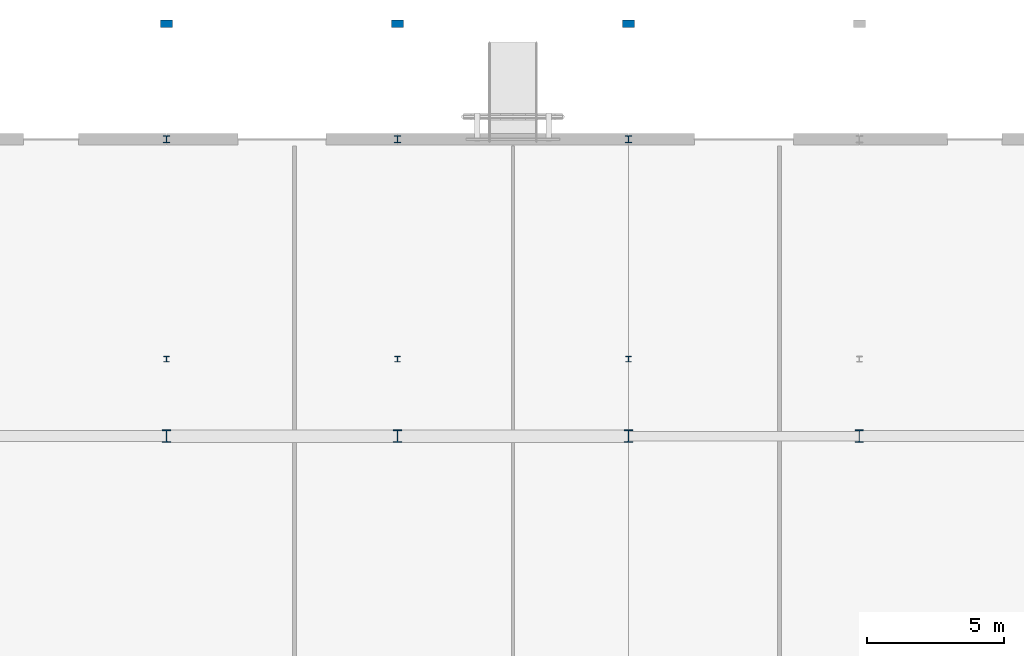
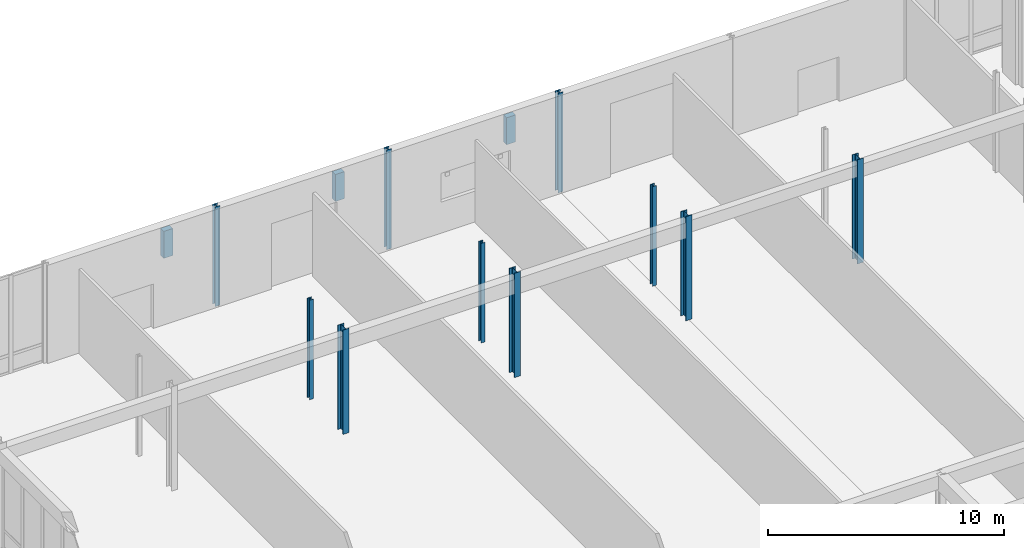
# One storey, part 13 of 169: 13 columns.
"""IFC4 building model written with IfcOpenShell, lengths in metres."""

from ifc_helpers import new_model, si_unit, direction, frame, origin, origin_2d, place, context, subcontext, project, spatial, rectangle, i_section, extrude, material, material_profile, profile_set, type_object, element, save


model = new_model("IFC4")

# Units and contexts
model_context = context("Model", 3, precision=1e-05, world=origin(), true_north=direction((0.0, 1.0)))
body_context = subcontext(model_context, "Body", "Model", "MODEL_VIEW")
ifc_project = project(units=[si_unit("LENGTHUNIT", "METRE"), si_unit("AREAUNIT", "SQUARE_METRE"), si_unit("VOLUMEUNIT", "CUBIC_METRE"), si_unit("PLANEANGLEUNIT", "RADIAN"), si_unit("MASSUNIT", "GRAM", prefix="KILO")], contexts=[model_context])

# Site, building, storey
site_placement = place(None, origin())
site = spatial("IfcSite", under=ifc_project, at=site_placement, CompositionType="ELEMENT")
building_placement = place(site_placement, origin())
building = spatial("IfcBuilding", under=site, at=building_placement, Name="Mazaris Harbour Polytechnic", CompositionType="ELEMENT")
storey_placement = place(building_placement, origin())
storey = spatial("IfcBuildingStorey", under=building, at=storey_placement, Name="L00", CompositionType="ELEMENT", Elevation=0.0)

# Columns
ifc_material_1 = material(Name="Concrete C35/45", Category="concrete")
ifc_material_profile_1 = material_profile(ifc_material_1, rectangle(XDim=0.43994140625, YDim=0.280029296875, at=origin_2d()), Name="RECT440x280")
ifc_profile_set_1 = profile_set([ifc_material_profile_1], Name="Concrete C35/45")
column_type_1 = type_object("IfcColumnType", Name="Limestone Pilaster 440x280", PredefinedType="PILASTER", material=ifc_profile_set_1)
for number, where, z_axis, x_axis, name in (
    (1, (70.800048828125, 123.0, 0.0), (0.0, 0.0, 1.0), (1.0, 0.0, 0.0), "North Service Yard Boundary Pier 2"),
    (2, (79.199951171875, 123.0, 0.0), (0.0, 0.0, 1.0), (1.0, 0.0, 0.0), "North Service Yard Boundary Pier 3"),
    (3, (87.60009765625, 123.0, 0.0), (0.0, 0.0, 1.0), (1.0, 0.0, 0.0), "North Service Yard Boundary Pier 4"),
):
    element("IfcColumn", number, at=place(storey_placement, frame(where, z_axis=z_axis, x_axis=x_axis)), inside=storey, type_object=column_type_1, Name=name, PredefinedType="PILASTER", context=body_context, shape_type="SweptSolid", body=[
        extrude(rectangle(XDim=0.43994140625, YDim=0.280029296875, at=origin_2d()), origin(), (0.0, 0.0, 1.0), 1.39990234375),
    ])
ifc_material_2 = material(Name="Steel S355", Category="steel")
ifc_material_profile_2 = material_profile(ifc_material_2, i_section(OverallWidth=0.199951171875, OverallDepth=0.199951171875, WebThickness=0.009033203125, FlangeThickness=0.014892578125, FilletRadius=0.01806640625, at=origin_2d()), Name="HEB 200")
ifc_profile_set_2 = profile_set([ifc_material_profile_2], Name="Steel S355")
column_type_2 = type_object("IfcColumnType", Name="Steel Column HEB200", PredefinedType="COLUMN", material=ifc_profile_set_2)
for number, where, z_axis, x_axis, name in (
    (4, (70.800048828125, 110.800048828125, 0.0), (0.0, 0.0, 1.0), (1.0, 0.0, 0.0), "V1 L00 Column 83"),
    (5, (79.199951171875, 110.800048828125, 0.0), (0.0, 0.0, 1.0), (1.0, 0.0, 0.0), "V1 L00 Column 89"),
    (6, (87.60009765625, 110.800048828125, 0.0), (0.0, 0.0, 1.0), (1.0, 0.0, 0.0), "V1 L00 Column 95"),
):
    element("IfcColumn", number, at=place(storey_placement, frame(where, z_axis=z_axis, x_axis=x_axis)), inside=storey, type_object=column_type_2, Name=name, PredefinedType="COLUMN", context=body_context, shape_type="SweptSolid", body=[
        extrude(i_section(OverallWidth=0.199951171875, OverallDepth=0.199951171875, WebThickness=0.009033203125, FlangeThickness=0.014892578125, FilletRadius=0.01806640625, at=origin_2d()), origin(), (0.0, 0.0, 1.0), 5.159912109375),
    ])
ifc_material_3 = material(Name="Steel S355", Category="steel")
ifc_material_profile_3 = material_profile(ifc_material_3, i_section(OverallWidth=0.239990234375, OverallDepth=0.239990234375, WebThickness=0.010009765625, FlangeThickness=0.01708984375, FilletRadius=0.02099609375, at=origin_2d()), Name="HEB 240")
ifc_profile_set_3 = profile_set([ifc_material_profile_3], Name="Steel S355")
column_type_3 = type_object("IfcColumnType", Name="Steel Column HEB240", PredefinedType="COLUMN", material=ifc_profile_set_3)
for number, where, z_axis, x_axis, name in (
    (7, (70.800048828125, 118.800048828125, 0.0), (0.0, 0.0, 1.0), (1.0, 0.0, 0.0), "V1 L00 Column 84"),
    (8, (79.199951171875, 118.800048828125, 0.0), (0.0, 0.0, 1.0), (1.0, 0.0, 0.0), "V1 L00 Column 90"),
    (9, (87.60009765625, 118.800048828125, 0.0), (0.0, 0.0, 1.0), (1.0, 0.0, 0.0), "V1 L00 Column 96"),
):
    element("IfcColumn", number, at=place(storey_placement, frame(where, z_axis=z_axis, x_axis=x_axis)), inside=storey, type_object=column_type_3, Name=name, PredefinedType="COLUMN", context=body_context, shape_type="SweptSolid", body=[
        extrude(i_section(OverallWidth=0.239990234375, OverallDepth=0.239990234375, WebThickness=0.010009765625, FlangeThickness=0.01708984375, FilletRadius=0.02099609375, at=origin_2d()), origin(), (0.0, 0.0, 1.0), 5.159912109375),
    ])
ifc_material_4 = material(Name="Steel S355", Category="steel")
ifc_material_profile_4 = material_profile(ifc_material_4, i_section(OverallWidth=0.300048828125, OverallDepth=0.449951171875, WebThickness=0.013916015625, FlangeThickness=0.02587890625, FilletRadius=0.027099609375, at=origin_2d()), Name="HEB 450")
ifc_profile_set_4 = profile_set([ifc_material_profile_4], Name="Steel S355")
column_type_4 = type_object("IfcColumnType", Name="Steel Column HEB450", PredefinedType="COLUMN", material=ifc_profile_set_4)
for number, where, z_axis, x_axis, name in (
    (10, (70.800048828125, 108.0, 0.0), (0.0, 0.0, 1.0), (1.0, 0.0, 0.0), "V1 L00 Column 82"),
    (11, (79.199951171875, 108.0, 0.0), (0.0, 0.0, 1.0), (1.0, 0.0, 0.0), "V1 L00 Column 88"),
    (12, (87.60009765625, 108.0, 0.0), (0.0, 0.0, 1.0), (1.0, 0.0, 0.0), "V1 L00 Column 94"),
    (13, (96.0, 108.0, 0.0), (0.0, 0.0, 1.0), (1.0, 0.0, 0.0), "V1 L00 Column 100"),
):
    element("IfcColumn", number, at=place(storey_placement, frame(where, z_axis=z_axis, x_axis=x_axis)), inside=storey, type_object=column_type_4, Name=name, PredefinedType="COLUMN", context=body_context, shape_type="SweptSolid", body=[
        extrude(i_section(OverallWidth=0.300048828125, OverallDepth=0.449951171875, WebThickness=0.013916015625, FlangeThickness=0.02587890625, FilletRadius=0.027099609375, at=origin_2d()), origin(), (0.0, 0.0, 1.0), 5.39990234375),
    ])

save(model, "model.ifc")
